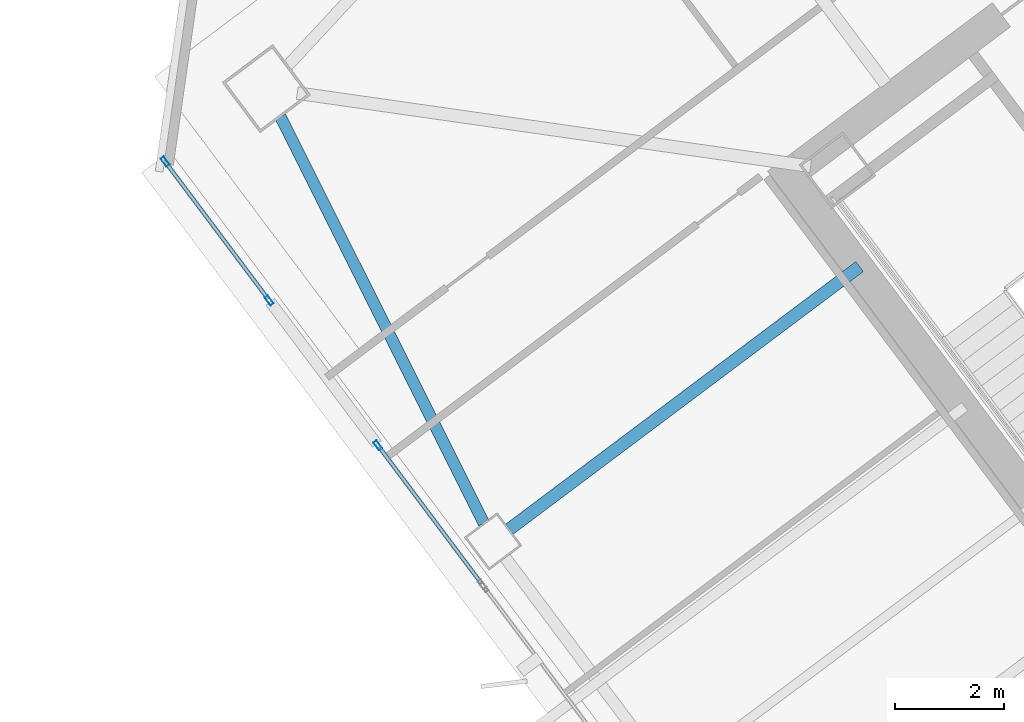
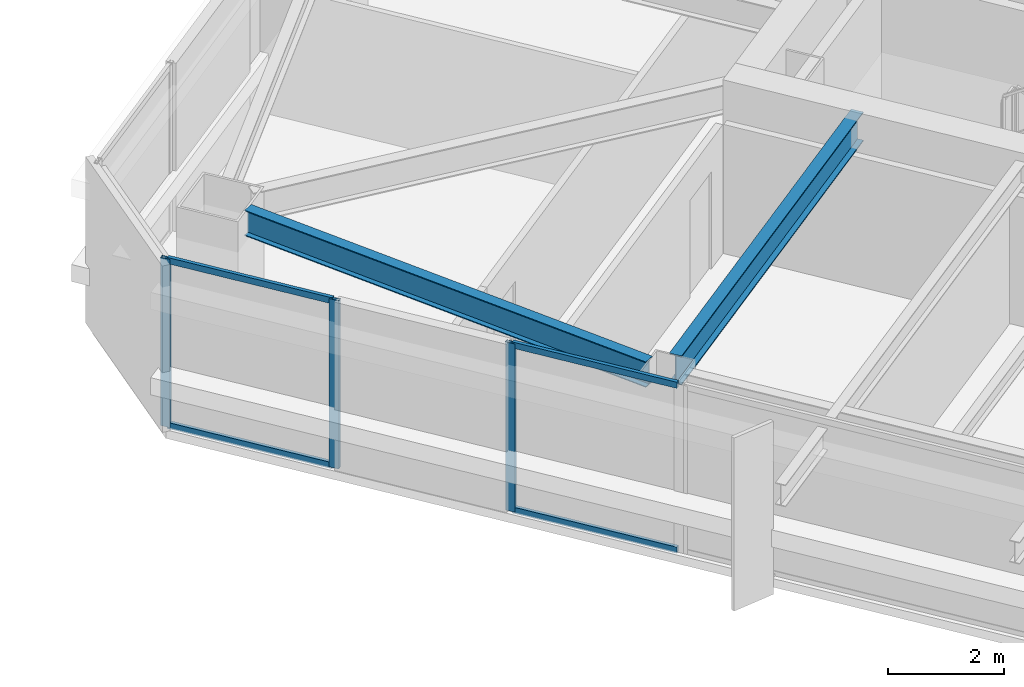
# One storey, part 22 of 46: 7 members, 2 beams, 2 elements without a shape of their own.
"""IFC4 building model written with IfcOpenShell, lengths in metres."""

from ifc_helpers import new_model, si_unit, direction, frame, origin, origin_2d, place, context, subcontext, project, spatial, hollow_rectangle, i_section, extrude, material, material_profile, profile_set, type_object, element, aggregate, save


model = new_model("IFC4")

# Units and contexts
model_context = context("Model", 3, precision=1e-05, world=origin(), true_north=direction((0.0, 1.0)))
body_context = subcontext(model_context, "Body", "Model", "MODEL_VIEW")
ifc_project = project(units=[si_unit("LENGTHUNIT", "METRE"), si_unit("AREAUNIT", "SQUARE_METRE"), si_unit("VOLUMEUNIT", "CUBIC_METRE"), si_unit("PLANEANGLEUNIT", "RADIAN"), si_unit("MASSUNIT", "GRAM", prefix="KILO")], contexts=[model_context])

# Site, building, storey
site_placement = place(None, origin())
site = spatial("IfcSite", under=ifc_project, at=site_placement, CompositionType="ELEMENT")
building_placement = place(site_placement, origin())
building = spatial("IfcBuilding", under=site, at=building_placement, Name="Tashvorn Skyway Center", CompositionType="ELEMENT")
storey_placement = place(building_placement, frame((0.0, 0.0, 167.64990234375)))
storey = spatial("IfcBuildingStorey", under=building, at=storey_placement, Name="L45", CompositionType="ELEMENT", Elevation=167.64990234375)

# Beams
ifc_material_1 = material(Name="Steel ASTM A992 Grade 50", Category="steel")
ifc_material_profile_1 = material_profile(ifc_material_1, i_section(OverallWidth=0.22998046875, OverallDepth=0.616943359375, WebThickness=0.01318359375, FlangeThickness=0.022216796875, at=origin_2d()), Name="W24X94")
ifc_profile_set_1 = profile_set([ifc_material_profile_1], Name="Steel ASTM A992 Grade 50")
beam_type_1 = type_object("IfcBeamType", Name="BM-BEAM-W24X94", PredefinedType="BEAM", material=ifc_profile_set_1)
beam_1_placement = place(storey_placement, frame((98.135986328125, 26.85205078125, 3.0615234375), z_axis=(0.799992675677, 0.60000976564, 0.0), x_axis=(-0.60000976564, 0.799992675677, 0.0)))
element("IfcBeam", 1, at=beam_1_placement, inside=storey, type_object=beam_type_1, Name="Tower 2 L45 Primary Floor Girder FC-W1", PredefinedType="BEAM", context=body_context, shape_type="SweptSolid", body=[
    extrude(i_section(OverallWidth=0.22998046875, OverallDepth=0.616943359375, WebThickness=0.01318359375, FlangeThickness=0.022216796875, at=origin_2d()), origin(), (0.0, 0.0, 1.0), 8.0),
])
ifc_material_profile_2 = material_profile(ifc_material_1, i_section(OverallWidth=0.2109375, OverallDepth=0.5390625, WebThickness=0.01171875, FlangeThickness=0.018798828125, at=origin_2d()), Name="W21X73")
ifc_profile_set_2 = profile_set([ifc_material_profile_2], Name="Steel ASTM A992 Grade 50")
beam_type_2 = type_object("IfcBeamType", Name="BM-SPANDREL-W21X73", PredefinedType="SPANDREL", material=ifc_profile_set_2)
beam_2_placement = place(storey_placement, frame((93.955078125, 34.390380859375, 3.1005859375), z_axis=(0.447648438059, -0.894209637559, 0.0), x_axis=(0.894209637559, 0.447648438059, 0.0)))
element("IfcBeam", 2, at=beam_2_placement, inside=storey, type_object=beam_type_2, Name="Tower 2 L45 Spandrel Beam 10", PredefinedType="SPANDREL", context=body_context, shape_type="SweptSolid", body=[
    extrude(i_section(OverallWidth=0.2109375, OverallDepth=0.5390625, WebThickness=0.01171875, FlangeThickness=0.018798828125, at=origin_2d()), origin(), (0.0, 0.0, 1.0), 8.308349609375),
])

# Curtain wall, member
ifc_material_2 = material(Name="Thermally broken bronze-anodized aluminium 6063-T6", Category="aluminium")
curtain_wall_type = type_object("IfcCurtainWallType", Name="CW-CW-Z4", PredefinedType="NOTDEFINED", material=ifc_material_2)
curtain_wall_1_placement = place(storey_placement, origin())
curtain_wall_1 = element("IfcCurtainWall", 3, at=curtain_wall_1_placement, inside=storey, type_object=curtain_wall_type, Name="Tower 2 L45 West Unitised Curtain Wall Glazing Group 4", PredefinedType="NOTDEFINED")
ifc_material_profile_3 = material_profile(ifc_material_2, hollow_rectangle(XDim=0.070068359375, YDim=0.179931640625, WallThickness=0.00390625, at=origin_2d()), Name="ALU-MULL-70x180")
ifc_profile_set_3 = profile_set([ifc_material_profile_3], Name="Thermally broken bronze-anodized aluminium 6063-T6")
member_type_1 = type_object("IfcMemberType", Name="CWM-CW-Z4", PredefinedType="MULLION", material=ifc_profile_set_3)
member_1_placement = place(storey_placement, frame((95.737060546875, 28.384033203125, 0.0), z_axis=(0.0, 0.0, 1.0), x_axis=(-0.799999999998, -0.600000000002, 0.0)))
member_1 = element("IfcMember", 4, at=member_1_placement, type_object=member_type_1, Name="CW-Z4 mullion 2", PredefinedType="MULLION", context=body_context, shape_type="SweptSolid", body=[
    extrude(hollow_rectangle(XDim=0.070068359375, YDim=0.179931640625, WallThickness=0.00390625, at=origin_2d()), origin(), (0.0, 0.0, 1.0), 3.550048828125),
])

# Curtain wall, members
curtain_wall_2_placement = place(storey_placement, origin())
curtain_wall_2 = element("IfcCurtainWall", 5, at=curtain_wall_2_placement, inside=storey, type_object=curtain_wall_type, Name="Tower 2 L45 West Unitised Curtain Wall Glazing Group 5", PredefinedType="NOTDEFINED")
member_2_placement = place(storey_placement, frame((93.7509765625, 31.031982421875, 0.0), z_axis=(0.0, 0.0, 1.0), x_axis=(-0.799999999998, -0.600000000002, 0.0)))
member_2 = element("IfcMember", 6, at=member_2_placement, type_object=member_type_1, Name="CW-Z4 mullion 1", PredefinedType="MULLION", context=body_context, shape_type="SweptSolid", body=[
    extrude(hollow_rectangle(XDim=0.070068359375, YDim=0.179931640625, WallThickness=0.00390625, at=origin_2d()), origin(), (0.0, 0.0, 1.0), 3.550048828125),
])
member_3_placement = place(storey_placement, frame((91.84912109375, 33.568115234375, 0.0), z_axis=(0.0, 0.0, 1.0), x_axis=(-0.799999999998, -0.600000000002, 0.0)))
member_3 = element("IfcMember", 7, at=member_3_placement, type_object=member_type_1, Name="CW-Z4 mullion 2", PredefinedType="MULLION", context=body_context, shape_type="SweptSolid", body=[
    extrude(hollow_rectangle(XDim=0.070068359375, YDim=0.179931640625, WallThickness=0.00390625, at=origin_2d()), origin(), (0.0, 0.0, 1.0), 3.550048828125),
])

# Member
ifc_material_profile_4 = material_profile(ifc_material_2, hollow_rectangle(XDim=0.070068359375, YDim=0.1298828125, WallThickness=0.00390625, at=origin_2d()), Name="ALU-TRAN-70x130")
ifc_profile_set_4 = profile_set([ifc_material_profile_4], Name="Thermally broken bronze-anodized aluminium 6063-T6")
member_type_2 = type_object("IfcMemberType", Name="CWT-CW-Z4", PredefinedType="USERDEFINED", material=ifc_profile_set_4)
member_4_placement = place(storey_placement, frame((97.617919921875, 25.8759765625, 0.03515625), z_axis=(-0.599974797295, 0.800018901408, 0.0), x_axis=(-0.800018901408, -0.599974797295, 0.0)))
member_4 = element("IfcMember", 8, at=member_4_placement, type_object=member_type_2, Name="CW-Z4 transom 1.1", ObjectType="TRANSOM", PredefinedType="USERDEFINED", context=body_context, shape_type="SweptSolid", body=[
    extrude(hollow_rectangle(XDim=0.070068359375, YDim=0.1298828125, WallThickness=0.00390625, at=origin_2d()), origin(), (0.0, 0.0, 1.0), 3.099853515625),
])

member_5_placement = place(storey_placement, frame((97.617919921875, 25.8759765625, 3.51513671875), z_axis=(-0.599974797295, 0.800018901408, 0.0), x_axis=(-0.800018901408, -0.599974797295, 0.0)))
member_5 = element("IfcMember", 9, at=member_5_placement, type_object=member_type_2, Name="CW-Z4 transom 1.2", ObjectType="TRANSOM", PredefinedType="USERDEFINED", context=body_context, shape_type="SweptSolid", body=[
    extrude(hollow_rectangle(XDim=0.070068359375, YDim=0.1298828125, WallThickness=0.00390625, at=origin_2d()), origin(), (0.0, 0.0, 1.0), 3.099853515625),
])

aggregate(curtain_wall_1, [member_1, member_4, member_5])

member_6_placement = place(storey_placement, frame((93.72998046875, 31.06005859375, 0.03515625), z_axis=(-0.599974797295, 0.800018901408, 0.0), x_axis=(-0.800018901408, -0.599974797295, 0.0)))
member_6 = element("IfcMember", 10, at=member_6_placement, type_object=member_type_2, Name="CW-Z4 transom 1.1", ObjectType="TRANSOM", PredefinedType="USERDEFINED", context=body_context, shape_type="SweptSolid", body=[
    extrude(hollow_rectangle(XDim=0.070068359375, YDim=0.1298828125, WallThickness=0.00390625, at=origin_2d()), origin(), (0.0, 0.0, 1.0), 3.099853515625),
])

member_7_placement = place(storey_placement, frame((93.72998046875, 31.06005859375, 3.51513671875), z_axis=(-0.599974797295, 0.800018901408, 0.0), x_axis=(-0.800018901408, -0.599974797295, 0.0)))
member_7 = element("IfcMember", 11, at=member_7_placement, type_object=member_type_2, Name="CW-Z4 transom 1.2", ObjectType="TRANSOM", PredefinedType="USERDEFINED", context=body_context, shape_type="SweptSolid", body=[
    extrude(hollow_rectangle(XDim=0.070068359375, YDim=0.1298828125, WallThickness=0.00390625, at=origin_2d()), origin(), (0.0, 0.0, 1.0), 3.099853515625),
])

aggregate(curtain_wall_2, [member_2, member_3, member_6, member_7])

save(model, "model.ifc")
